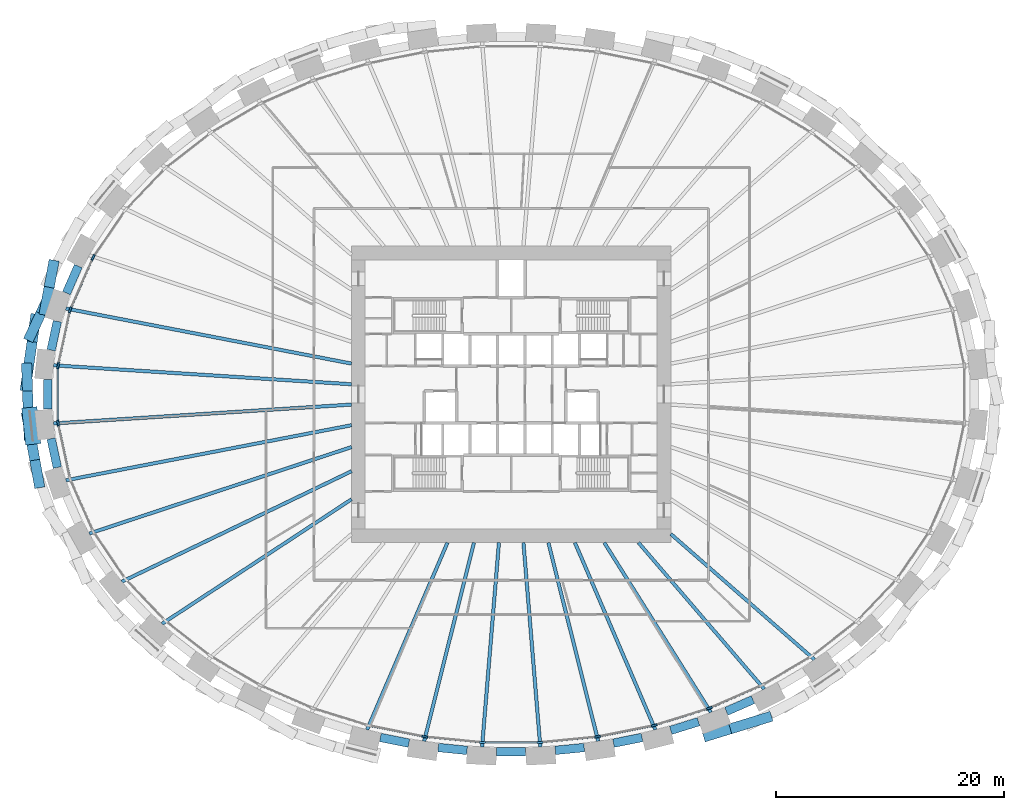
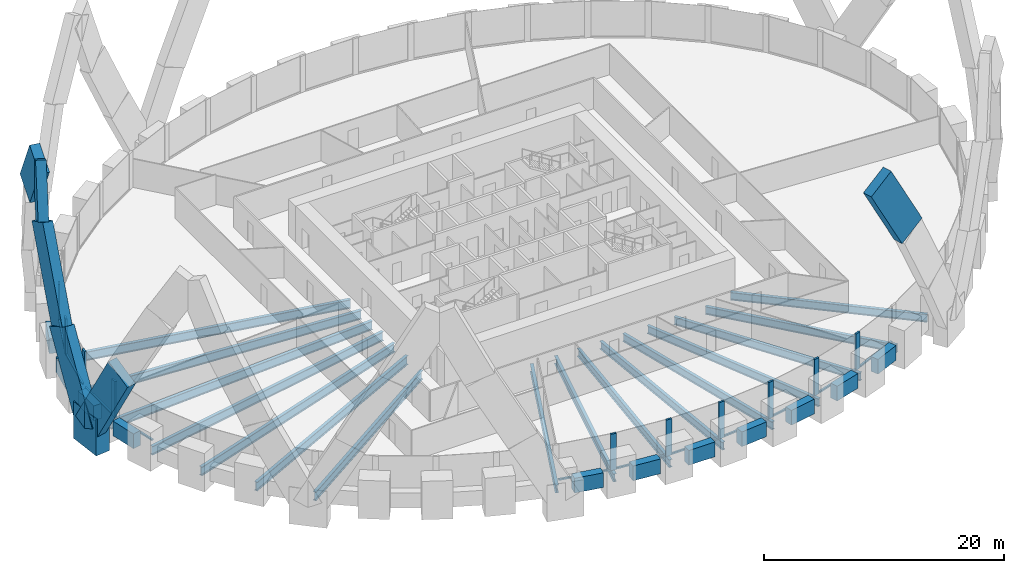
# One storey, part 2 of 12: 28 members, 27 beams, 1 element without a shape of its own.
"""IFC4 building model written with IfcOpenShell, lengths in metres."""

from ifc_helpers import new_model, si_unit, direction, frame, origin, origin_2d, place, context, subcontext, project, spatial, rectangle, i_section, extrude, source, transform, mapped, material, material_profile, profile_set, type_object, element, aggregate, save


model = new_model("IFC4")

# Units and contexts
model_context = context("Model", 3, precision=1e-05, world=origin(), true_north=direction((0.0, 1.0)))
body_context = subcontext(model_context, "Body", "Model", "MODEL_VIEW")
ifc_project = project(units=[si_unit("LENGTHUNIT", "METRE"), si_unit("AREAUNIT", "SQUARE_METRE"), si_unit("VOLUMEUNIT", "CUBIC_METRE"), si_unit("PLANEANGLEUNIT", "RADIAN"), si_unit("MASSUNIT", "GRAM", prefix="KILO")], contexts=[model_context])

# Site, building, storey
site_placement = place(None, origin())
site = spatial("IfcSite", under=ifc_project, at=site_placement, CompositionType="ELEMENT")
building_placement = place(site_placement, origin())
building = spatial("IfcBuilding", under=site, at=building_placement, Name="Embergate Tower", CompositionType="ELEMENT")
storey_placement = place(building_placement, frame((0.0, 0.0, 85.39990234375)))
storey = spatial("IfcBuildingStorey", under=building, at=storey_placement, Name="L17", CompositionType="ELEMENT", Elevation=85.39990234375)

# Beams
ifc_material_1 = material(Name="Concrete C70", Category="concrete")
ifc_material_profile_1 = material_profile(ifc_material_1, rectangle(XDim=0.75, YDim=1.5, at=origin_2d()), Name="RC 750x1500")
ifc_profile_set_1 = profile_set([ifc_material_profile_1], Name="Concrete C70")
beam_type_1 = type_object("IfcBeamType", Name="Spandrel beam RC 750x1500 C70", PredefinedType="BEAM", material=ifc_profile_set_1)
shared_shape_1 = source(origin(), body_context, "Body", "SweptSolid", [
    extrude(rectangle(XDim=0.75, YDim=1.5, at=origin_2d()), origin(), (0.0, 0.0, 1.0), 2.5869140625),
])
for number, where, z_axis, x_axis, name in (
    (1, (-39.799072265625, 6.408935546875, 0.0), (-0.210270227171, -0.977643304874, 0.0), (0.977643304874, -0.210270227171, 0.0), "SPN-L17-20"),
    (2, (-40.343017578125, -3.8798828125, 0.0), (0.210270227171, -0.977643304874, 0.0), (0.977643304874, 0.210270227171, 0.0), "SPN-L17-22"),
):
    element("IfcBeam", number, at=place(storey_placement, frame(where, z_axis=z_axis, x_axis=x_axis)), inside=storey, type_object=beam_type_1, Name=name, PredefinedType="BEAM", context=body_context, shape_type="MappedRepresentation", body=[
        mapped(shared_shape_1, transform((0.0, 0.0, 0.0))),
    ])
shared_shape_2 = source(origin(), body_context, "Body", "SweptSolid", [
    extrude(rectangle(XDim=0.75, YDim=1.5, at=origin_2d()), origin(), (0.0, 0.0, 1.0), 2.583251953125),
])
beam_1_placement = place(storey_placement, frame((-37.9619140625, 11.2490234375, 0.0), z_axis=(-0.401468201792, -0.915872962233, 0.0), x_axis=(0.915872962233, -0.401468201792, 0.0)))
element("IfcBeam", 3, at=beam_1_placement, inside=storey, type_object=beam_type_1, Name="SPN-L17-19", PredefinedType="BEAM", context=body_context, shape_type="MappedRepresentation", body=[
    mapped(shared_shape_2, transform((0.0, 0.0, 0.0))),
])
shared_shape_3 = source(origin(), body_context, "Body", "SweptSolid", [
    extrude(rectangle(XDim=0.75, YDim=1.5, at=origin_2d()), origin(), (0.0, 0.0, 1.0), 2.552001953125),
])
beam_2_placement = place(storey_placement, frame((18.864990234375, -27.791015625, 0.0), z_axis=(0.916139768309, 0.400858983836, 0.0), x_axis=(-0.400858983836, 0.916139768309, 0.0)))
element("IfcBeam", 4, at=beam_2_placement, inside=storey, type_object=beam_type_1, Name="SPN-L17-36", PredefinedType="BEAM", context=body_context, shape_type="MappedRepresentation", body=[
    mapped(shared_shape_3, transform((0.0, 0.0, 0.0))),
])
shared_shape_4 = source(origin(), body_context, "Body", "SweptSolid", [
    extrude(rectangle(XDim=0.75, YDim=1.5, at=origin_2d()), origin(), (0.0, 0.0, 1.0), 2.55029296875),
])
beam_3_placement = place(storey_placement, frame((13.993896484375, -29.4580078125, 0.0), z_axis=(0.954803055826, 0.297239170678, 0.0), x_axis=(-0.297239170678, 0.954803055826, 0.0)))
element("IfcBeam", 5, at=beam_3_placement, inside=storey, type_object=beam_type_1, Name="SPN-L17-35", PredefinedType="BEAM", context=body_context, shape_type="MappedRepresentation", body=[
    mapped(shared_shape_4, transform((0.0, 0.0, 0.0))),
])
shared_shape_5 = source(origin(), body_context, "Body", "SweptSolid", [
    extrude(rectangle(XDim=0.75, YDim=1.5, at=origin_2d()), origin(), (0.0, 0.0, 1.0), 2.546875),
])
for number, where, z_axis, x_axis, name in (
    (6, (-11.469970703125, -30.0810546875, 0.0), (0.980462515934, -0.196706011214, 0.0), (0.196706011214, 0.980462515934, 0.0), "SPN-L17-30"),
    (7, (8.972900390625, -30.58203125, 0.0), (0.980462515934, 0.196706011214, 0.0), (-0.196706011214, 0.980462515934, 0.0), "SPN-L17-34"),
):
    element("IfcBeam", number, at=place(storey_placement, frame(where, z_axis=z_axis, x_axis=x_axis)), inside=storey, type_object=beam_type_1, Name=name, PredefinedType="BEAM", context=body_context, shape_type="MappedRepresentation", body=[
        mapped(shared_shape_5, transform((0.0, 0.0, 0.0))),
    ])
shared_shape_6 = source(origin(), body_context, "Body", "SweptSolid", [
    extrude(rectangle(XDim=0.75, YDim=1.5, at=origin_2d()), origin(), (0.0, 0.0, 1.0), 2.544189453125),
])
for number, where, z_axis, x_axis, name in (
    (8, (-6.402099609375, -30.966064453125, 0.0), (0.995198330328, -0.097878921698, 0.0), (0.097878921698, 0.995198330328, 0.0), "SPN-L17-31"),
    (9, (3.8701171875, -31.215087890625, 0.0), (0.995198330328, 0.097878921698, 0.0), (-0.097878921698, 0.995198330328, 0.0), "SPN-L17-33"),
):
    element("IfcBeam", number, at=place(storey_placement, frame(where, z_axis=z_axis, x_axis=x_axis)), inside=storey, type_object=beam_type_1, Name=name, PredefinedType="BEAM", context=body_context, shape_type="MappedRepresentation", body=[
        mapped(shared_shape_6, transform((0.0, 0.0, 0.0))),
    ])
shared_shape_7 = source(origin(), body_context, "Body", "SweptSolid", [
    extrude(rectangle(XDim=0.75, YDim=1.5, at=origin_2d()), origin(), (0.0, 0.0, 1.0), 2.5458984375),
])
beam_4_placement = place(storey_placement, frame((-1.27294921875, -31.342041015625, 0.0), z_axis=(1.0, 0.0, 0.0), x_axis=(0.0, 1.0, 0.0)))
element("IfcBeam", 10, at=beam_4_placement, inside=storey, type_object=beam_type_1, Name="SPN-L17-32", PredefinedType="BEAM", context=body_context, shape_type="MappedRepresentation", body=[
    mapped(shared_shape_7, transform((0.0, 0.0, 0.0))),
])
shared_shape_8 = source(origin(), body_context, "Body", "SweptSolid", [
    extrude(rectangle(XDim=0.75, YDim=1.5, at=origin_2d()), origin(), (0.0, 0.0, 1.0), 2.59423828125),
])
beam_5_placement = place(storey_placement, frame((-40.637939453125, 1.297119140625, 0.0), z_axis=(0.0, -1.0, 0.0), x_axis=(1.0, 0.0, 0.0)))
element("IfcBeam", 11, at=beam_5_placement, inside=storey, type_object=beam_type_1, Name="SPN-L17-21", PredefinedType="BEAM", context=body_context, shape_type="MappedRepresentation", body=[
    mapped(shared_shape_8, transform((0.0, 0.0, 0.0))),
])
ifc_material_2 = material(Name="Steel Q355B", Category="steel")
ifc_material_profile_2 = material_profile(ifc_material_2, i_section(OverallWidth=0.300048828125, OverallDepth=0.89990234375, WebThickness=0.01611328125, FlangeThickness=0.028076171875, FilletRadius=0.028076171875, at=origin_2d()), Name="HN 900x300x16x28")
ifc_profile_set_2 = profile_set([ifc_material_profile_2], Name="Steel Q355 grade B")
beam_type_2 = type_object("IfcBeamType", Name="Radial girder HN 900x300x16x28", PredefinedType="BEAM", material=ifc_profile_set_2)
shared_shape_9 = source(origin(), body_context, "Body", "SweptSolid", [
    extrude(i_section(OverallWidth=0.300048828125, OverallDepth=0.89990234375, WebThickness=0.01611328125, FlangeThickness=0.028076171875, FilletRadius=0.028076171875, at=origin_2d()), origin(), (0.0, 0.0, 1.0), 26.17578125),
])
for number, where, z_axis, x_axis, name in (
    (12, (-40.123046875, 2.549072265625, -0.64990234375), (0.997989066798, -0.063386296243, 0.0), (0.063386296243, 0.997989066798, 0.0), "GIR-L17-21"),
    (13, (-40.123046875, -2.549072265625, -0.64990234375), (0.997989066798, 0.063386296243, 0.0), (-0.063386296243, 0.997989066798, 0.0), "GIR-L17-22"),
):
    element("IfcBeam", number, at=place(storey_placement, frame(where, z_axis=z_axis, x_axis=x_axis)), inside=storey, type_object=beam_type_2, Name=name, PredefinedType="BEAM", context=body_context, shape_type="MappedRepresentation", body=[
        mapped(shared_shape_9, transform((0.0, 0.0, 0.0))),
    ])
shared_shape_10 = source(origin(), body_context, "Body", "SweptSolid", [
    extrude(i_section(OverallWidth=0.300048828125, OverallDepth=0.89990234375, WebThickness=0.01611328125, FlangeThickness=0.028076171875, FilletRadius=0.028076171875, at=origin_2d()), origin(), (0.0, 0.0, 1.0), 25.5126953125),
])
for number, where, z_axis, x_axis, name in (
    (14, (-39.051025390625, 7.532958984375, -0.64990234375), (0.981900703084, -0.189396434187, 0.0), (0.189396434187, 0.981900703084, 0.0), "GIR-L17-20"),
    (15, (-39.051025390625, -7.532958984375, -0.64990234375), (0.981900703084, 0.189396434187, 0.0), (-0.189396434187, 0.981900703084, 0.0), "GIR-L17-23"),
):
    element("IfcBeam", number, at=place(storey_placement, frame(where, z_axis=z_axis, x_axis=x_axis)), inside=storey, type_object=beam_type_2, Name=name, PredefinedType="BEAM", context=body_context, shape_type="MappedRepresentation", body=[
        mapped(shared_shape_10, transform((0.0, 0.0, 0.0))),
    ])
shared_shape_11 = source(origin(), body_context, "Body", "SweptSolid", [
    extrude(i_section(OverallWidth=0.300048828125, OverallDepth=0.89990234375, WebThickness=0.01611328125, FlangeThickness=0.028076171875, FilletRadius=0.028076171875, at=origin_2d()), origin(), (0.0, 0.0, 1.0), 24.221435546875),
])
beam_6_placement = place(storey_placement, frame((-37.0029296875, -12.202880859375, -0.64990234375), z_axis=(0.949690422, 0.313190201575, 0.0), x_axis=(-0.313190201575, 0.949690422, 0.0)))
element("IfcBeam", 16, at=beam_6_placement, inside=storey, type_object=beam_type_2, Name="GIR-L17-24", PredefinedType="BEAM", context=body_context, shape_type="MappedRepresentation", body=[
    mapped(shared_shape_11, transform((0.0, 0.0, 0.0))),
])
shared_shape_12 = source(origin(), body_context, "Body", "SweptSolid", [
    extrude(i_section(OverallWidth=0.300048828125, OverallDepth=0.89990234375, WebThickness=0.01611328125, FlangeThickness=0.028076171875, FilletRadius=0.028076171875, at=origin_2d()), origin(), (0.0, 0.0, 1.0), 22.343505859375),
])
beam_7_placement = place(storey_placement, frame((-34.135009765625, -16.4208984375, -0.64990234375), z_axis=(0.901156313857, 0.433494288308, 0.0), x_axis=(-0.433494288308, 0.901156313857, 0.0)))
element("IfcBeam", 17, at=beam_7_placement, inside=storey, type_object=beam_type_2, Name="GIR-L17-25", PredefinedType="BEAM", context=body_context, shape_type="MappedRepresentation", body=[
    mapped(shared_shape_12, transform((0.0, 0.0, 0.0))),
])
shared_shape_13 = source(origin(), body_context, "Body", "SweptSolid", [
    extrude(i_section(OverallWidth=0.300048828125, OverallDepth=0.89990234375, WebThickness=0.01611328125, FlangeThickness=0.028076171875, FilletRadius=0.028076171875, at=origin_2d()), origin(), (0.0, 0.0, 1.0), 19.8779296875),
])
beam_8_placement = place(storey_placement, frame((-30.613037109375, -20.113037109375, -0.64990234375), z_axis=(0.835753953274, 0.549104115434, 0.0), x_axis=(-0.549104115434, 0.835753953274, 0.0)))
element("IfcBeam", 18, at=beam_8_placement, inside=storey, type_object=beam_type_2, Name="GIR-L17-26", PredefinedType="BEAM", context=body_context, shape_type="MappedRepresentation", body=[
    mapped(shared_shape_13, transform((0.0, 0.0, 0.0))),
])
ifc_material_profile_3 = material_profile(ifc_material_2, i_section(OverallWidth=0.300048828125, OverallDepth=0.800048828125, WebThickness=0.013916015625, FlangeThickness=0.02587890625, FilletRadius=0.028076171875, at=origin_2d()), Name="HN 800x300x14x26")
ifc_profile_set_3 = profile_set([ifc_material_profile_3], Name="Steel Q355 grade B")
beam_type_3 = type_object("IfcBeamType", Name="Radial girder HN 800x300x14x26", PredefinedType="BEAM", material=ifc_profile_set_3)
shared_shape_14 = source(origin(), body_context, "Body", "SweptSolid", [
    extrude(i_section(OverallWidth=0.300048828125, OverallDepth=0.800048828125, WebThickness=0.013916015625, FlangeThickness=0.02587890625, FilletRadius=0.028076171875, at=origin_2d()), origin(), (0.0, 0.0, 1.0), 16.72509765625),
])
beam_9_placement = place(storey_placement, frame((26.590087890625, -23.2529296875, -0.599853515625), z_axis=(-0.752763844536, 0.658290660999, 0.0), x_axis=(-0.658290660999, -0.752763844536, 0.0)))
element("IfcBeam", 19, at=beam_9_placement, inside=storey, type_object=beam_type_3, Name="GIR-L17-38", PredefinedType="BEAM", context=body_context, shape_type="MappedRepresentation", body=[
    mapped(shared_shape_14, transform((0.0, 0.0, 0.0))),
])
shared_shape_15 = source(origin(), body_context, "Body", "SweptSolid", [
    extrude(i_section(OverallWidth=0.300048828125, OverallDepth=0.800048828125, WebThickness=0.013916015625, FlangeThickness=0.02587890625, FilletRadius=0.028076171875, at=origin_2d()), origin(), (0.0, 0.0, 1.0), 16.924560546875),
])
beam_10_placement = place(storey_placement, frame((22.18994140625, -25.840087890625, -0.599853515625), z_axis=(-0.651475377488, 0.758669778314, 0.0), x_axis=(-0.758669778314, -0.651475377488, 0.0)))
element("IfcBeam", 20, at=beam_10_placement, inside=storey, type_object=beam_type_3, Name="GIR-L17-37", PredefinedType="BEAM", context=body_context, shape_type="MappedRepresentation", body=[
    mapped(shared_shape_15, transform((0.0, 0.0, 0.0))),
])
shared_shape_16 = source(origin(), body_context, "Body", "SweptSolid", [
    extrude(i_section(OverallWidth=0.300048828125, OverallDepth=0.800048828125, WebThickness=0.013916015625, FlangeThickness=0.02587890625, FilletRadius=0.028076171875, at=origin_2d()), origin(), (0.0, 0.0, 1.0), 17.578125),
])
beam_11_placement = place(storey_placement, frame((17.512939453125, -27.885986328125, -0.599853515625), z_axis=(-0.53184411478, 0.846842274319, 0.0), x_axis=(-0.846842274319, -0.53184411478, 0.0)))
element("IfcBeam", 21, at=beam_11_placement, inside=storey, type_object=beam_type_3, Name="GIR-L17-36", PredefinedType="BEAM", context=body_context, shape_type="MappedRepresentation", body=[
    mapped(shared_shape_16, transform((0.0, 0.0, 0.0))),
])
shared_shape_17 = source(origin(), body_context, "Body", "SweptSolid", [
    extrude(i_section(OverallWidth=0.300048828125, OverallDepth=0.800048828125, WebThickness=0.013916015625, FlangeThickness=0.02587890625, FilletRadius=0.028076171875, at=origin_2d()), origin(), (0.0, 0.0, 1.0), 17.854248046875),
])
for number, where, z_axis, x_axis, name in (
    (22, (-12.638916015625, -29.403076171875, -0.599853515625), (0.394919154383, 0.918715876374, 0.0), (-0.918715876374, 0.394919154383, 0.0), "GIR-L17-30"),
    (23, (12.638916015625, -29.403076171875, -0.599853515625), (-0.394919154383, 0.918715876374, 0.0), (-0.918715876374, -0.394919154383, 0.0), "GIR-L17-35"),
):
    element("IfcBeam", number, at=place(storey_placement, frame(where, z_axis=z_axis, x_axis=x_axis)), inside=storey, type_object=beam_type_3, Name=name, PredefinedType="BEAM", context=body_context, shape_type="MappedRepresentation", body=[
        mapped(shared_shape_17, transform((0.0, 0.0, 0.0))),
    ])
shared_shape_18 = source(origin(), body_context, "Body", "SweptSolid", [
    extrude(i_section(OverallWidth=0.300048828125, OverallDepth=0.800048828125, WebThickness=0.013916015625, FlangeThickness=0.02587890625, FilletRadius=0.028076171875, at=origin_2d()), origin(), (0.0, 0.0, 1.0), 17.947265625),
])
for number, where, z_axis, x_axis, name in (
    (24, (-7.633056640625, -30.406982421875, -0.599853515625), (0.243498938638, 0.969901163461, 0.0), (-0.969901163461, 0.243498938638, 0.0), "GIR-L17-31"),
    (25, (7.633056640625, -30.406982421875, -0.599853515625), (-0.243498938638, 0.969901163461, 0.0), (-0.969901163461, -0.243498938638, 0.0), "GIR-L17-34"),
):
    element("IfcBeam", number, at=place(storey_placement, frame(where, z_axis=z_axis, x_axis=x_axis)), inside=storey, type_object=beam_type_3, Name=name, PredefinedType="BEAM", context=body_context, shape_type="MappedRepresentation", body=[
        mapped(shared_shape_18, transform((0.0, 0.0, 0.0))),
    ])
shared_shape_19 = source(origin(), body_context, "Body", "SweptSolid", [
    extrude(i_section(OverallWidth=0.300048828125, OverallDepth=0.800048828125, WebThickness=0.013916015625, FlangeThickness=0.02587890625, FilletRadius=0.028076171875, at=origin_2d()), origin(), (0.0, 0.0, 1.0), 17.968017578125),
])
for number, where, z_axis, x_axis, name in (
    (26, (-2.552978515625, -30.906982421875, -0.599853515625), (0.082313416138, 0.996606492816, 0.0), (-0.996606492816, 0.082313416138, 0.0), "GIR-L17-32"),
    (27, (2.552978515625, -30.906982421875, -0.599853515625), (-0.082313416138, 0.996606492816, 0.0), (-0.996606492816, -0.082313416138, 0.0), "GIR-L17-33"),
):
    element("IfcBeam", number, at=place(storey_placement, frame(where, z_axis=z_axis, x_axis=x_axis)), inside=storey, type_object=beam_type_3, Name=name, PredefinedType="BEAM", context=body_context, shape_type="MappedRepresentation", body=[
        mapped(shared_shape_19, transform((0.0, 0.0, 0.0))),
    ])

# Members
ifc_material_profile_4 = material_profile(ifc_material_1, rectangle(XDim=1.35009765625, YDim=3.25, at=origin_2d()), Name="RC 1350x3250")
ifc_profile_set_4 = profile_set([ifc_material_profile_4], Name="Concrete C70")
member_type_1 = type_object("IfcMemberType", Name="Lattice node block RC 1350x3250", PredefinedType="POST", material=ifc_profile_set_4)
shared_shape_20 = source(origin(), body_context, "Body", "SweptSolid", [
    extrude(rectangle(XDim=1.35009765625, YDim=3.25, at=origin_2d()), origin(), (0.0, 0.0, 1.0), 3.75),
])
member_1_placement = place(storey_placement, frame((-42.0869140625, -2.760009765625, -1.875), z_axis=(0.0, 0.0, 1.0), x_axis=(-0.99428589498, -0.106749983816, 0.0)))
element("IfcMember", 28, at=member_1_placement, inside=storey, type_object=member_type_1, Name="NOD-L17-22", PredefinedType="POST", context=body_context, shape_type="MappedRepresentation", body=[
    mapped(shared_shape_20, transform((0.0, 0.0, 0.0))),
])
ifc_material_profile_5 = material_profile(ifc_material_1, rectangle(XDim=0.89990234375, YDim=2.800048828125, at=origin_2d()), Name="RC 900x2800")
ifc_profile_set_5 = profile_set([ifc_material_profile_5], Name="Concrete C70")
member_type_2 = type_object("IfcMemberType", Name="Lattice diagonal terracotta-faced RC 900x2800", PredefinedType="BRACE", material=ifc_profile_set_5)
shared_shape_21 = source(origin(), body_context, "Body", "SweptSolid", [
    extrude(rectangle(XDim=0.89990234375, YDim=2.800048828125, at=origin_2d()), origin(), (0.0, 0.0, 1.0), 5.099853515625),
])
member_2_placement = place(storey_placement, frame((-40.306884765625, 10.541015625, 15.60009765625), z_axis=(-0.086122052759, -0.462588880382, 0.882380031378), x_axis=(0.983107492357, -0.183029119192, 0.0)))
element("IfcMember", 29, at=member_2_placement, inside=storey, type_object=member_type_2, Name="BRC-L17-18-20-S02", PredefinedType="BRACE", context=body_context, shape_type="MappedRepresentation", body=[
    mapped(shared_shape_21, transform((0.0, 0.0, 0.0))),
])
shared_shape_22 = source(origin(), body_context, "Body", "SweptSolid", [
    extrude(rectangle(XDim=0.89990234375, YDim=2.800048828125, at=origin_2d()), origin(), (0.0, 0.0, 1.0), 8.910400390625),
])
member_3_placement = place(storey_placement, frame((-42.31103515625, -2.783935546875, 0.0), z_axis=(-0.016275413442, 0.483138661998, 0.875392565767), x_axis=(-0.999433080961, -0.033667739471, 0.0)))
element("IfcMember", 30, at=member_3_placement, inside=storey, type_object=member_type_2, Name="BRC-L17-22-20-S00", PredefinedType="BRACE", context=body_context, shape_type="MappedRepresentation", body=[
    mapped(shared_shape_22, transform((0.0, 0.0, 0.0))),
])
shared_shape_23 = source(origin(), body_context, "Body", "SweptSolid", [
    extrude(rectangle(XDim=0.89990234375, YDim=2.800048828125, at=origin_2d()), origin(), (0.0, 0.0, 1.0), 8.933349609375),
])
member_4_placement = place(storey_placement, frame((-42.4560546875, 1.52099609375, 7.800048828125), z_axis=(0.068733582471, 0.482583538479, 0.87314879776), x_axis=(-0.990008835936, 0.14100533596, 0.0)))
element("IfcMember", 31, at=member_4_placement, inside=storey, type_object=member_type_2, Name="BRC-L17-22-20-S01", PredefinedType="BRACE", context=body_context, shape_type="MappedRepresentation", body=[
    mapped(shared_shape_23, transform((0.0, 0.0, 0.0))),
])
shared_shape_24 = source(origin(), body_context, "Body", "SweptSolid", [
    extrude(rectangle(XDim=0.89990234375, YDim=2.800048828125, at=origin_2d()), origin(), (0.0, 0.0, 1.0), 5.193603515625),
])
member_5_placement = place(storey_placement, frame((-41.842041015625, 5.83203125, 15.60009765625), z_axis=(0.211021030754, 0.452456542883, 0.86646015568), x_axis=(-0.906279337304, 0.422679267029, 0.0)))
element("IfcMember", 32, at=member_5_placement, inside=storey, type_object=member_type_2, Name="BRC-L17-22-20-S02", PredefinedType="BRACE", context=body_context, shape_type="MappedRepresentation", body=[
    mapped(shared_shape_24, transform((0.0, 0.0, 0.0))),
])
shared_shape_25 = source(origin(), body_context, "Body", "SweptSolid", [
    extrude(rectangle(XDim=0.89990234375, YDim=2.800048828125, at=origin_2d()), origin(), (0.0, 0.0, 1.0), 8.88427734375),
])
member_6_placement = place(storey_placement, frame((-42.31103515625, -2.783935546875, 0.0), z_axis=(0.084884876364, -0.471167397262, 0.87794979442), x_axis=(0.984156091951, 0.177304220695, 0.0)))
element("IfcMember", 33, at=member_6_placement, inside=storey, type_object=member_type_2, Name="BRC-L17-22-24-S00", PredefinedType="BRACE", context=body_context, shape_type="MappedRepresentation", body=[
    mapped(shared_shape_25, transform((0.0, 0.0, 0.0))),
])
shared_shape_26 = source(origin(), body_context, "Body", "SweptSolid", [
    extrude(rectangle(XDim=0.89990234375, YDim=2.800048828125, at=origin_2d()), origin(), (0.0, 0.0, 1.0), 7.69091796875),
])
member_7_placement = place(storey_placement, frame((21.658935546875, -28.577880859375, 13.400146484375), z_axis=(-0.46937398616, -0.144088226916, 0.871163959298), x_axis=(0.293463363097, -0.955970320941, 0.0)))
element("IfcMember", 34, at=member_7_placement, inside=storey, type_object=member_type_2, Name="BRC-L17-38-36-S02", PredefinedType="BRACE", context=body_context, shape_type="MappedRepresentation", body=[
    mapped(shared_shape_26, transform((0.0, 0.0, 0.0))),
])

# Curtain wall, members
ifc_material_3 = material(Name="Aluminium and glass", Category="aluminium")
curtain_wall_type = type_object("IfcCurtainWallType", Name="Recessed office glazing", PredefinedType="NOTDEFINED", material=ifc_material_3)
curtain_wall_placement = place(storey_placement, origin())
curtain_wall = element("IfcCurtainWall", 35, at=curtain_wall_placement, inside=storey, type_object=curtain_wall_type, Name="Recessed office glazing ring", ObjectType="RECESSED OFFICE GLAZING", PredefinedType="USERDEFINED")
ifc_material_4 = material(Name="Aluminium, thermally broken", Category="aluminium")
ifc_material_profile_6 = material_profile(ifc_material_4, rectangle(XDim=0.179931640625, YDim=0.52001953125, at=origin_2d()), Name="AL 520x180")
ifc_profile_set_6 = profile_set([ifc_material_profile_6], Name="Aluminium, thermally broken")
member_type_3 = type_object("IfcMemberType", Name="Office mullion", PredefinedType="MULLION", material=ifc_profile_set_6)
shared_shape_27 = source(origin(), body_context, "Body", "SweptSolid", [
    extrude(rectangle(XDim=0.179931640625, YDim=0.52001953125, at=origin_2d()), origin(), (0.0, 0.0, 1.0), 3.7001953125),
])
member_8_placement = place(storey_placement, frame((-36.662109375, 12.012939453125, 0.0), z_axis=(0.0, 0.0, 1.0), x_axis=(0.875005275602, -0.484113383071, 0.0)))
member_8 = element("IfcMember", 36, at=member_8_placement, type_object=member_type_3, Name="CW mullion 20", PredefinedType="MULLION", context=body_context, shape_type="MappedRepresentation", body=[
    mapped(shared_shape_27, transform((0.0, 0.0, 0.0))),
])
member_9_placement = place(storey_placement, frame((-38.68017578125, 7.412109375, 0.0), z_axis=(0.0, 0.0, 1.0), x_axis=(0.95149940886, -0.307650572791, 0.0)))
member_9 = element("IfcMember", 37, at=member_9_placement, type_object=member_type_3, Name="CW mullion 21", PredefinedType="MULLION", context=body_context, shape_type="MappedRepresentation", body=[
    mapped(shared_shape_27, transform((0.0, 0.0, 0.0))),
])
member_10_placement = place(storey_placement, frame((-39.735595703125, 2.507080078125, 0.0), z_axis=(0.0, 0.0, 1.0), x_axis=(0.994385139431, -0.105821521816, 0.0)))
member_10 = element("IfcMember", 38, at=member_10_placement, type_object=member_type_3, Name="CW mullion 22", PredefinedType="MULLION", context=body_context, shape_type="MappedRepresentation", body=[
    mapped(shared_shape_27, transform((0.0, 0.0, 0.0))),
])
member_11_placement = place(storey_placement, frame((-39.735595703125, -2.507080078125, 0.0), z_axis=(0.0, 0.0, 1.0), x_axis=(0.994385139431, 0.105821521816, 0.0)))
member_11 = element("IfcMember", 39, at=member_11_placement, type_object=member_type_3, Name="CW mullion 23", PredefinedType="MULLION", context=body_context, shape_type="MappedRepresentation", body=[
    mapped(shared_shape_27, transform((0.0, 0.0, 0.0))),
])
member_12_placement = place(storey_placement, frame((-7.576171875, -30.021484375, 0.0), z_axis=(0.0, 0.0, 1.0), x_axis=(0.147412382818, 0.989075118174, 0.0)))
member_12 = element("IfcMember", 40, at=member_12_placement, type_object=member_type_3, Name="CW mullion 32", PredefinedType="MULLION", context=body_context, shape_type="MappedRepresentation", body=[
    mapped(shared_shape_27, transform((0.0, 0.0, 0.0))),
])
member_13_placement = place(storey_placement, frame((-2.53369140625, -30.51708984375, 0.0), z_axis=(0.0, 0.0, 1.0), x_axis=(0.048971796621, 0.998800161762, 0.0)))
member_13 = element("IfcMember", 41, at=member_13_placement, type_object=member_type_3, Name="CW mullion 33", PredefinedType="MULLION", context=body_context, shape_type="MappedRepresentation", body=[
    mapped(shared_shape_27, transform((0.0, 0.0, 0.0))),
])
member_14_placement = place(storey_placement, frame((2.53369140625, -30.51708984375, 0.0), z_axis=(0.0, 0.0, 1.0), x_axis=(-0.048971796621, 0.998800161762, 0.0)))
member_14 = element("IfcMember", 42, at=member_14_placement, type_object=member_type_3, Name="CW mullion 34", PredefinedType="MULLION", context=body_context, shape_type="MappedRepresentation", body=[
    mapped(shared_shape_27, transform((0.0, 0.0, 0.0))),
])
member_15_placement = place(storey_placement, frame((7.576171875, -30.021484375, 0.0), z_axis=(0.0, 0.0, 1.0), x_axis=(-0.147412382818, 0.989075118174, 0.0)))
member_15 = element("IfcMember", 43, at=member_15_placement, type_object=member_type_3, Name="CW mullion 35", PredefinedType="MULLION", context=body_context, shape_type="MappedRepresentation", body=[
    mapped(shared_shape_27, transform((0.0, 0.0, 0.0))),
])
member_16_placement = place(storey_placement, frame((12.54296875, -29.025390625, 0.0), z_axis=(0.0, 0.0, 1.0), x_axis=(-0.24731188137, 0.968935928394, 0.0)))
member_16 = element("IfcMember", 44, at=member_16_placement, type_object=member_type_3, Name="CW mullion 36", PredefinedType="MULLION", context=body_context, shape_type="MappedRepresentation", body=[
    mapped(shared_shape_27, transform((0.0, 0.0, 0.0))),
])
member_17_placement = place(storey_placement, frame((17.377197265625, -27.519775390625, 0.0), z_axis=(0.0, 0.0, 1.0), x_axis=(-0.349502682851, 0.936935363128, 0.0)))
member_17 = element("IfcMember", 45, at=member_17_placement, type_object=member_type_3, Name="CW mullion 37", PredefinedType="MULLION", context=body_context, shape_type="MappedRepresentation", body=[
    mapped(shared_shape_27, transform((0.0, 0.0, 0.0))),
])
ifc_material_profile_7 = material_profile(ifc_material_4, rectangle(XDim=0.179931640625, YDim=0.14990234375, at=origin_2d()), Name="AL 150x180")
ifc_profile_set_7 = profile_set([ifc_material_profile_7], Name="Aluminium, thermally broken")
member_type_4 = type_object("IfcMemberType", Name="Office sill transom", PredefinedType="USERDEFINED", material=ifc_profile_set_7)
shared_shape_28 = source(origin(), body_context, "Body", "SweptSolid", [
    extrude(rectangle(XDim=0.179931640625, YDim=0.14990234375, at=origin_2d()), origin(), (0.0, 0.0, 1.0), 4.496826171875),
])
member_18_placement = place(storey_placement, frame((-38.73486328125, 7.15771484375, 0.0751953125), z_axis=(-0.210378069806, -0.977620104, 0.0), x_axis=(0.977620104, -0.210378069806, 0.0)))
member_18 = element("IfcMember", 46, at=member_18_placement, type_object=member_type_4, Name="CW transom 21.1", ObjectType="TRANSOM", PredefinedType="USERDEFINED", context=body_context, shape_type="MappedRepresentation", body=[
    mapped(shared_shape_28, transform((0.0, 0.0, 0.0))),
])
member_19_placement = place(storey_placement, frame((-39.680908203125, -2.761474609375, 0.0751953125), z_axis=(0.210378069806, -0.977620104, 0.0), x_axis=(0.977620104, 0.210378069806, 0.0)))
member_19 = element("IfcMember", 47, at=member_19_placement, type_object=member_type_4, Name="CW transom 23.1", ObjectType="TRANSOM", PredefinedType="USERDEFINED", context=body_context, shape_type="MappedRepresentation", body=[
    mapped(shared_shape_28, transform((0.0, 0.0, 0.0))),
])
shared_shape_29 = source(origin(), body_context, "Body", "SweptSolid", [
    extrude(rectangle(XDim=0.179931640625, YDim=0.14990234375, at=origin_2d()), origin(), (0.0, 0.0, 1.0), 4.504150390625),
])
member_20_placement = place(storey_placement, frame((-36.7666015625, 11.77490234375, 0.0751953125), z_axis=(-0.401657507377, -0.915789957778, 0.0), x_axis=(0.915789957778, -0.401657507377, 0.0)))
member_20 = element("IfcMember", 48, at=member_20_placement, type_object=member_type_4, Name="CW transom 20.1", ObjectType="TRANSOM", PredefinedType="USERDEFINED", context=body_context, shape_type="MappedRepresentation", body=[
    mapped(shared_shape_29, transform((0.0, 0.0, 0.0))),
])
shared_shape_30 = source(origin(), body_context, "Body", "SweptSolid", [
    extrude(rectangle(XDim=0.179931640625, YDim=0.14990234375, at=origin_2d()), origin(), (0.0, 0.0, 1.0), 4.540283203125),
])
member_21_placement = place(storey_placement, frame((17.615478515625, -27.415771484375, 0.0751953125), z_axis=(0.91622766565, 0.400658039601, 0.0), x_axis=(-0.400658039601, 0.91622766565, 0.0)))
member_21 = element("IfcMember", 49, at=member_21_placement, type_object=member_type_4, Name="CW transom 37.1", ObjectType="TRANSOM", PredefinedType="USERDEFINED", context=body_context, shape_type="MappedRepresentation", body=[
    mapped(shared_shape_30, transform((0.0, 0.0, 0.0))),
])
shared_shape_31 = source(origin(), body_context, "Body", "SweptSolid", [
    extrude(rectangle(XDim=0.179931640625, YDim=0.14990234375, at=origin_2d()), origin(), (0.0, 0.0, 1.0), 4.54345703125),
])
member_22_placement = place(storey_placement, frame((12.791259765625, -28.947998046875, 0.0751953125), z_axis=(0.954777820435, 0.297320220648, 0.0), x_axis=(-0.297320220648, 0.954777820435, 0.0)))
member_22 = element("IfcMember", 50, at=member_22_placement, type_object=member_type_4, Name="CW transom 36.1", ObjectType="TRANSOM", PredefinedType="USERDEFINED", context=body_context, shape_type="MappedRepresentation", body=[
    mapped(shared_shape_31, transform((0.0, 0.0, 0.0))),
])
shared_shape_32 = source(origin(), body_context, "Body", "SweptSolid", [
    extrude(rectangle(XDim=0.179931640625, YDim=0.14990234375, at=origin_2d()), origin(), (0.0, 0.0, 1.0), 4.54541015625),
])
member_23_placement = place(storey_placement, frame((-12.2880859375, -29.076416015625, 0.0751953125), z_axis=(0.980477251105, -0.196632550879, 0.0), x_axis=(0.196632550879, 0.980477251105, 0.0)))
member_23 = element("IfcMember", 51, at=member_23_placement, type_object=member_type_4, Name="CW transom 31.1", ObjectType="TRANSOM", PredefinedType="USERDEFINED", context=body_context, shape_type="MappedRepresentation", body=[
    mapped(shared_shape_32, transform((0.0, 0.0, 0.0))),
])
member_24_placement = place(storey_placement, frame((7.831298828125, -29.97021484375, 0.0751953125), z_axis=(0.980477251105, 0.196632550879, 0.0), x_axis=(-0.196632550879, 0.980477251105, 0.0)))
member_24 = element("IfcMember", 52, at=member_24_placement, type_object=member_type_4, Name="CW transom 35.1", ObjectType="TRANSOM", PredefinedType="USERDEFINED", context=body_context, shape_type="MappedRepresentation", body=[
    mapped(shared_shape_32, transform((0.0, 0.0, 0.0))),
])
shared_shape_33 = source(origin(), body_context, "Body", "SweptSolid", [
    extrude(rectangle(XDim=0.179931640625, YDim=0.14990234375, at=origin_2d()), origin(), (0.0, 0.0, 1.0), 4.546630859375),
])
member_25_placement = place(storey_placement, frame((-7.3173828125, -30.046875, 0.0751953125), z_axis=(0.995202726131, -0.097834216414, 0.0), x_axis=(0.097834216414, 0.995202726131, 0.0)))
member_25 = element("IfcMember", 53, at=member_25_placement, type_object=member_type_4, Name="CW transom 32.1", ObjectType="TRANSOM", PredefinedType="USERDEFINED", context=body_context, shape_type="MappedRepresentation", body=[
    mapped(shared_shape_33, transform((0.0, 0.0, 0.0))),
])
member_26_placement = place(storey_placement, frame((2.79248046875, -30.49169921875, 0.0751953125), z_axis=(0.995202726131, 0.097834216414, 0.0), x_axis=(-0.097834216414, 0.995202726131, 0.0)))
member_26 = element("IfcMember", 54, at=member_26_placement, type_object=member_type_4, Name="CW transom 34.1", ObjectType="TRANSOM", PredefinedType="USERDEFINED", context=body_context, shape_type="MappedRepresentation", body=[
    mapped(shared_shape_33, transform((0.0, 0.0, 0.0))),
])
shared_shape_34 = source(origin(), body_context, "Body", "SweptSolid", [
    extrude(rectangle(XDim=0.179931640625, YDim=0.14990234375, at=origin_2d()), origin(), (0.0, 0.0, 1.0), 4.54736328125),
])
member_27_placement = place(storey_placement, frame((-2.273681640625, -30.51708984375, 0.0751953125), z_axis=(1.0, 0.0, 0.0), x_axis=(0.0, 1.0, 0.0)))
member_27 = element("IfcMember", 55, at=member_27_placement, type_object=member_type_4, Name="CW transom 33.1", ObjectType="TRANSOM", PredefinedType="USERDEFINED", context=body_context, shape_type="MappedRepresentation", body=[
    mapped(shared_shape_34, transform((0.0, 0.0, 0.0))),
])
shared_shape_35 = source(origin(), body_context, "Body", "SweptSolid", [
    extrude(rectangle(XDim=0.179931640625, YDim=0.14990234375, at=origin_2d()), origin(), (0.0, 0.0, 1.0), 4.49462890625),
])
member_28_placement = place(storey_placement, frame((-39.735595703125, 2.247314453125, 0.0751953125), z_axis=(0.0, -1.0, 0.0), x_axis=(1.0, 0.0, 0.0)))
member_28 = element("IfcMember", 56, at=member_28_placement, type_object=member_type_4, Name="CW transom 22.1", ObjectType="TRANSOM", PredefinedType="USERDEFINED", context=body_context, shape_type="MappedRepresentation", body=[
    mapped(shared_shape_35, transform((0.0, 0.0, 0.0))),
])
aggregate(curtain_wall, [member_8, member_9, member_10, member_11, member_12, member_13, member_14, member_15, member_16, member_17, member_20, member_18, member_28, member_19, member_23, member_25, member_27, member_26, member_24, member_22, member_21])

save(model, "model.ifc")
